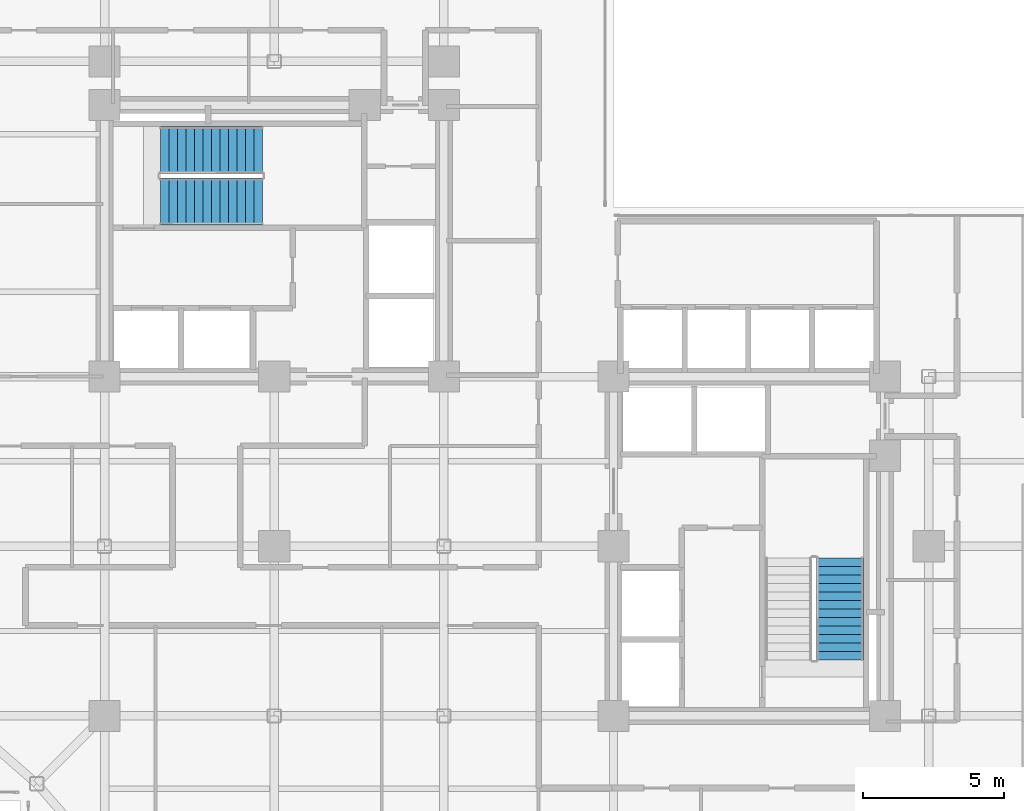
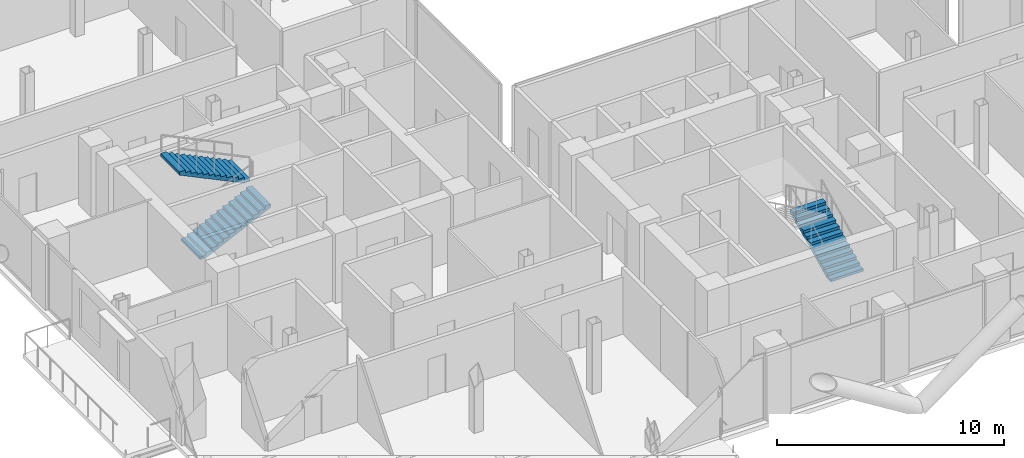
# One storey, part 22 of 24: 3 stair flights, 2 elements without a shape of their own.
"""IFC4 building model written with IfcOpenShell, lengths in metres."""

from ifc_helpers import new_model, si_unit, direction, frame, origin, place, context, subcontext, project, spatial, polyline, outline, extrude, material, type_object, element, aggregate, save


model = new_model("IFC4")

# Units and contexts
model_context = context("Model", 3, precision=1e-05, world=origin(), true_north=direction((0.0, 1.0)))
body_context = subcontext(model_context, "Body", "Model", "MODEL_VIEW")
ifc_project = project(units=[si_unit("LENGTHUNIT", "METRE"), si_unit("AREAUNIT", "SQUARE_METRE"), si_unit("VOLUMEUNIT", "CUBIC_METRE"), si_unit("PLANEANGLEUNIT", "RADIAN"), si_unit("MASSUNIT", "GRAM", prefix="KILO"), si_unit("THERMODYNAMICTEMPERATUREUNIT", "KELVIN"), si_unit("POWERUNIT", "WATT")], contexts=[model_context])

# Site, building, storey
site_placement = place(None, origin())
site = spatial("IfcSite", under=ifc_project, at=site_placement, CompositionType="ELEMENT")
building_placement = place(site_placement, origin())
building = spatial("IfcBuilding", under=site, at=building_placement, Name="Svarakhadi Broadcast Tower", CompositionType="ELEMENT")
storey_placement = place(building_placement, frame((0.0, 0.0, 141.89990234375)))
storey = spatial("IfcBuildingStorey", under=building, at=storey_placement, Name="L34", CompositionType="ELEMENT", Elevation=141.89990234375)

# Stair, stair flights
ifc_material = material(Name="Concrete C40/50 (IS 456 M50)", Category="concrete")
stair_type = type_object("IfcStairType", Name="Stair_Exit_Core", PredefinedType="HALF_TURN_STAIR", material=ifc_material)
stair_1_placement = place(storey_placement, origin())
stair_1 = element("IfcStair", 1, at=stair_1_placement, inside=storey, type_object=stair_type, Name="L34 West Core Protected Exit Stair ST-01", PredefinedType="HALF_TURN_STAIR")
stair_flight_type = type_object("IfcStairFlightType", Name="Flight_RC_1680", PredefinedType="STRAIGHT", material=ifc_material)
stair_flight_1_placement = place(storey_placement, frame((7.97998046875, 24.18994140625, 0.0), z_axis=(0.0, 0.0, 1.0), x_axis=(1.0, 0.0, 0.0)))
stair_flight_1 = element("IfcStairFlight", 2, at=stair_flight_1_placement, type_object=stair_flight_type, Name="ST-01 flight 1", NumberOfRisers=13, NumberOfTreads=12, PredefinedType="STRAIGHT", RiserHeight=0.144230769, TreadLength=0.3, context=body_context, shape_type="SweptSolid", body=[
    extrude(outline(polyline([(0.0, 0.0), (0.0, 0.144287109375), (0.300048828125, 0.144287109375), (0.300048828125, 0.28857421875), (0.60009765625, 0.28857421875), (0.60009765625, 0.4326171875), (0.89990234375, 0.4326171875), (0.89990234375, 0.576904296875), (1.199951171875, 0.576904296875), (1.199951171875, 0.72119140625), (1.5, 0.72119140625), (1.5, 0.865478515625), (1.800048828125, 0.865478515625), (1.800048828125, 1.009521484375), (2.10009765625, 1.009521484375), (2.10009765625, 1.15380859375), (2.39990234375, 1.15380859375), (2.39990234375, 1.298095703125), (2.699951171875, 1.298095703125), (2.699951171875, 1.4423828125), (3.0, 1.4423828125), (3.0, 1.58642578125), (3.300048828125, 1.58642578125), (3.300048828125, 1.730712890625), (3.60009765625, 1.730712890625), (3.60009765625, 1.875), (3.60009765625, 1.564453125), (0.345947265625, 0.0), (0.0, 0.0)])), frame((0.0, 0.830078125, 0.0), z_axis=(0.0, -1.0, 0.0), x_axis=(1.0, 0.0, 0.0)), (0.0, 0.0, 1.0), 1.659912109375),
])
stair_flight_2_placement = place(storey_placement, frame((11.580078125, 26.010009765625, 1.875), z_axis=(0.0, 0.0, 1.0), x_axis=(-1.0, 0.0, 0.0)))
stair_flight_2 = element("IfcStairFlight", 3, at=stair_flight_2_placement, type_object=stair_flight_type, Name="ST-01 flight 2", NumberOfRisers=13, NumberOfTreads=12, PredefinedType="STRAIGHT", RiserHeight=0.144230769, TreadLength=0.3, context=body_context, shape_type="SweptSolid", body=[
    extrude(outline(polyline([(0.0, 0.0), (0.0, 0.144287109375), (0.300048828125, 0.144287109375), (0.300048828125, 0.28857421875), (0.60009765625, 0.28857421875), (0.60009765625, 0.4326171875), (0.89990234375, 0.4326171875), (0.89990234375, 0.576904296875), (1.199951171875, 0.576904296875), (1.199951171875, 0.72119140625), (1.5, 0.72119140625), (1.5, 0.865478515625), (1.800048828125, 0.865478515625), (1.800048828125, 1.009521484375), (2.10009765625, 1.009521484375), (2.10009765625, 1.15380859375), (2.39990234375, 1.15380859375), (2.39990234375, 1.298095703125), (2.699951171875, 1.298095703125), (2.699951171875, 1.4423828125), (3.0, 1.4423828125), (3.0, 1.58642578125), (3.300048828125, 1.58642578125), (3.300048828125, 1.730712890625), (3.60009765625, 1.730712890625), (3.60009765625, 1.875), (3.60009765625, 1.564453125), (0.345947265625, 0.0), (0.0, 0.0)])), frame((0.0, 0.830078125, 0.0), z_axis=(0.0, -1.0, 0.0), x_axis=(1.0, 0.0, 0.0)), (0.0, 0.0, 1.0), 1.659912109375),
])
aggregate(stair_1, [stair_flight_1, stair_flight_2])

# Stair, stair flight
stair_2_placement = place(storey_placement, origin())
stair_2 = element("IfcStair", 4, at=stair_2_placement, inside=storey, type_object=stair_type, Name="L34 East Core Protected Exit Stair ST-02", PredefinedType="HALF_TURN_STAIR")
stair_flight_3_placement = place(storey_placement, frame((32.010009765625, 7.97998046875, 0.0), z_axis=(0.0, 0.0, 1.0), x_axis=(0.0, 1.0, 0.0)))
stair_flight_3 = element("IfcStairFlight", 5, at=stair_flight_3_placement, type_object=stair_flight_type, Name="ST-02 flight 1", NumberOfRisers=13, NumberOfTreads=12, PredefinedType="STRAIGHT", RiserHeight=0.144230769, TreadLength=0.3, context=body_context, shape_type="SweptSolid", body=[
    extrude(outline(polyline([(0.0, 0.0), (0.0, 0.144287109375), (0.300048828125, 0.144287109375), (0.300048828125, 0.28857421875), (0.60009765625, 0.28857421875), (0.60009765625, 0.4326171875), (0.89990234375, 0.4326171875), (0.89990234375, 0.576904296875), (1.199951171875, 0.576904296875), (1.199951171875, 0.72119140625), (1.5, 0.72119140625), (1.5, 0.865478515625), (1.800048828125, 0.865478515625), (1.800048828125, 1.009521484375), (2.10009765625, 1.009521484375), (2.10009765625, 1.15380859375), (2.39990234375, 1.15380859375), (2.39990234375, 1.298095703125), (2.699951171875, 1.298095703125), (2.699951171875, 1.4423828125), (3.0, 1.4423828125), (3.0, 1.58642578125), (3.300048828125, 1.58642578125), (3.300048828125, 1.730712890625), (3.60009765625, 1.730712890625), (3.60009765625, 1.875), (3.60009765625, 1.564453125), (0.345947265625, 0.0), (0.0, 0.0)])), frame((0.0, 0.830078125, 0.0), z_axis=(0.0, -1.0, 0.0), x_axis=(1.0, 0.0, 0.0)), (0.0, 0.0, 1.0), 1.659912109375),
])
aggregate(stair_2, [stair_flight_3])

save(model, "model.ifc")
